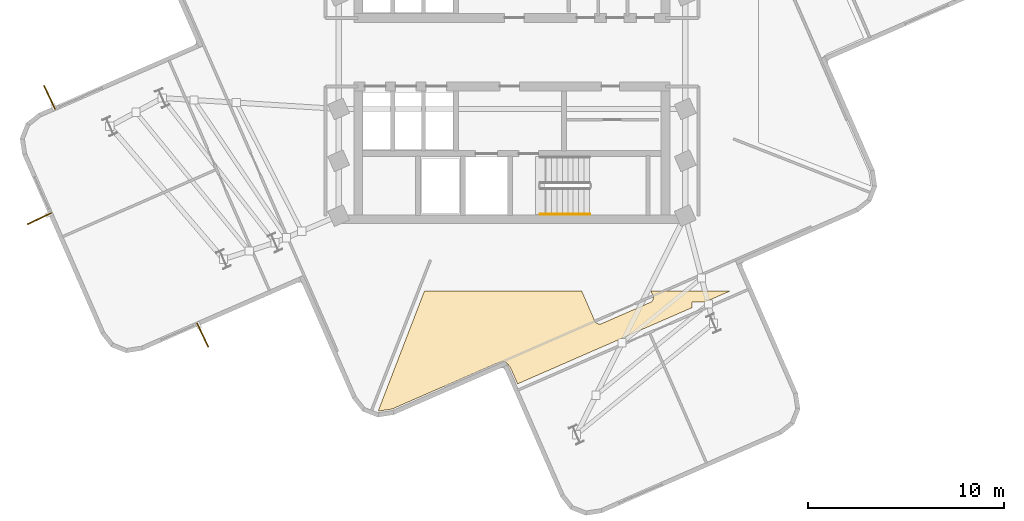
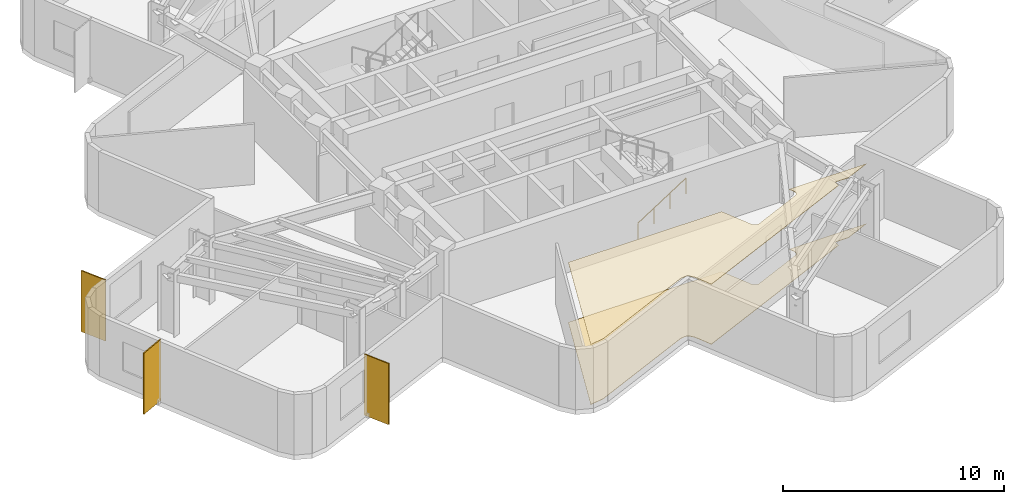
# One storey, part 6 of 8: 3 shading devices, 2 coverings, 1 railing.
"""IFC4 building model written with IfcOpenShell, lengths in metres."""

from ifc_helpers import new_model, si_unit, direction, frame, origin, origin_2d, place, context, subcontext, project, spatial, polyline, rectangle, circle, outline, extrude, material, layer, layer_set, type_object, element, save


model = new_model("IFC4")

# Units and contexts
model_context = context("Model", 3, precision=1e-05, world=origin(), true_north=direction((0.0, 1.0)))
body_context = subcontext(model_context, "Body", "Model", "MODEL_VIEW")
ifc_project = project(units=[si_unit("LENGTHUNIT", "METRE"), si_unit("AREAUNIT", "SQUARE_METRE"), si_unit("VOLUMEUNIT", "CUBIC_METRE"), si_unit("PLANEANGLEUNIT", "RADIAN"), si_unit("MASSUNIT", "GRAM", prefix="KILO")], contexts=[model_context])

# Site, building, storey
site_placement = place(None, origin())
site = spatial("IfcSite", under=ifc_project, at=site_placement, CompositionType="ELEMENT")
building_placement = place(site_placement, origin())
building = spatial("IfcBuilding", under=site, at=building_placement, Name="Solmarez Civic Tower", CompositionType="ELEMENT")
storey_placement = place(building_placement, frame((0.0, 0.0, 181.080078125)))
storey = spatial("IfcBuildingStorey", under=building, at=storey_placement, Name="L48", CompositionType="ELEMENT", Elevation=181.080078125)

# Coverings
ifc_material_1 = material(Name="Perforated Mineral-Fibre Acoustic Ceiling")
ifc_layer_1 = layer(ifc_material_1, 0.02490234375)
ifc_layer_set_1 = layer_set([ifc_layer_1], Name="Perforated Mineral-Fibre Acoustic Ceiling")
covering_type_1 = type_object("IfcCoveringType", Name="COV-CEIL-ACOUSTIC", PredefinedType="CEILING", material=ifc_layer_set_1)
covering_1_placement = place(storey_placement, frame((0.0, 0.0, 3.31494140625)))
element("IfcCovering", 1, at=covering_1_placement, inside=storey, type_object=covering_type_1, Name="L48 Suspended Acoustic Ceiling 3", PredefinedType="CEILING", context=body_context, shape_type="SweptSolid", body=[
    extrude(outline(polyline([(-0.2548828125, -15.89208984375), (-0.2490234375, -15.89697265625), (-0.23388671875, -15.909912109375), (-0.220947265625, -15.925048828125), (-0.216064453125, -15.930908203125), (-0.212890625, -15.93505859375), (-0.10595703125, -16.070068359375), (-0.10205078125, -16.074951171875), (-0.091064453125, -16.090087890625), (-0.0869140625, -16.095947265625), (-0.072998046875, -16.1201171875), (-0.070068359375, -16.1259765625), (-0.06494140625, -16.135986328125), (0.287109375, -16.94189453125), (9.18994140625, -13.052001953125), (9.18994140625, -12.75), (9.882080078125, -12.75), (11.14111328125, -12.199951171875), (7.097900390625, -12.199951171875), (7.197998046875, -12.427978515625), (7.205078125, -12.446044921875), (7.2080078125, -12.455078125), (7.215087890625, -12.48193359375), (7.216064453125, -12.487060546875), (7.218994140625, -12.508056640625), (7.219970703125, -12.530029296875), (7.219970703125, -12.5400390625), (7.218994140625, -12.56201171875), (7.216064453125, -12.5830078125), (7.215087890625, -12.587890625), (7.214111328125, -12.593017578125), (7.2119140625, -12.60205078125), (7.20703125, -12.618896484375), (7.200927734375, -12.635986328125), (7.198974609375, -12.64111328125), (7.19091796875, -12.657958984375), (7.181884765625, -12.675048828125), (7.16796875, -12.695068359375), (7.162109375, -12.702880859375), (7.14697265625, -12.720947265625), (7.12890625, -12.738037109375), (7.1220703125, -12.743896484375), (7.10498046875, -12.758056640625), (7.0859375, -12.76904296875), (7.076904296875, -12.77392578125), (7.05810546875, -12.783935546875), (4.583984375, -13.864990234375), (4.56591796875, -13.8720703125), (4.556884765625, -13.875), (4.530029296875, -13.882080078125), (4.52490234375, -13.883056640625), (4.50390625, -13.885986328125), (4.48193359375, -13.886962890625), (4.471923828125, -13.886962890625), (4.449951171875, -13.885986328125), (4.428955078125, -13.883056640625), (4.424072265625, -13.882080078125), (4.4189453125, -13.881103515625), (4.409912109375, -13.87890625), (4.39306640625, -13.8740234375), (4.3759765625, -13.867919921875), (4.37109375, -13.865966796875), (4.35400390625, -13.85791015625), (4.3369140625, -13.84912109375), (4.321044921875, -13.837890625), (4.30908203125, -13.8291015625), (4.291015625, -13.81396484375), (4.27392578125, -13.7958984375), (4.26806640625, -13.7890625), (4.25390625, -13.77197265625), (4.242919921875, -13.7529296875), (4.238037109375, -13.743896484375), (4.22802734375, -13.72509765625), (3.56201171875, -12.199951171875), (-4.468994140625, -12.199951171875), (-6.83203125, -18.330078125), (-6.825927734375, -18.3330078125), (-6.1259765625, -18.22705078125), (-0.738037109375, -15.8720703125), (-0.7099609375, -15.862060546875), (-0.702880859375, -15.860107421875), (-0.696044921875, -15.85791015625), (-0.672119140625, -15.85302734375), (-0.6630859375, -15.85107421875), (-0.489990234375, -15.824951171875), (-0.48291015625, -15.823974609375), (-0.451904296875, -15.822021484375), (-0.444091796875, -15.822021484375), (-0.4130859375, -15.823974609375), (-0.407958984375, -15.824951171875), (-0.402099609375, -15.825927734375), (-0.385009765625, -15.827880859375), (-0.368896484375, -15.83203125), (-0.362060546875, -15.833984375), (-0.3349609375, -15.843994140625), (-0.321044921875, -15.85009765625), (-0.302001953125, -15.85888671875), (-0.283935546875, -15.8701171875), (-0.26708984375, -15.883056640625), (-0.2548828125, -15.89208984375)])), origin(), (0.0, 0.0, 1.0), 0.02490234375),
])
ifc_material_2 = material(Name="Polished Tropical Stone Terrazzo Flooring", Category="masonry")
ifc_layer_2 = layer(ifc_material_2, 0.02001953125)
ifc_layer_set_2 = layer_set([ifc_layer_2], Name="Polished Tropical Stone Terrazzo Flooring")
covering_type_2 = type_object("IfcCoveringType", Name="COV-FLOOR-TERRAZZO", PredefinedType="FLOORING", material=ifc_layer_set_2)
covering_2_placement = place(storey_placement, origin())
element("IfcCovering", 2, at=covering_2_placement, inside=storey, type_object=covering_type_2, Name="L48 Terrazzo Floor Finish 3", PredefinedType="FLOORING", context=body_context, shape_type="SweptSolid", body=[
    extrude(outline(polyline([(-0.2548828125, -15.89208984375), (-0.2490234375, -15.89697265625), (-0.23388671875, -15.909912109375), (-0.220947265625, -15.925048828125), (-0.216064453125, -15.930908203125), (-0.212890625, -15.93505859375), (-0.10595703125, -16.070068359375), (-0.10205078125, -16.074951171875), (-0.091064453125, -16.090087890625), (-0.0869140625, -16.095947265625), (-0.072998046875, -16.1201171875), (-0.070068359375, -16.1259765625), (-0.06494140625, -16.135986328125), (0.287109375, -16.94189453125), (9.18994140625, -13.052001953125), (9.18994140625, -12.75), (9.882080078125, -12.75), (11.14111328125, -12.199951171875), (7.097900390625, -12.199951171875), (7.197998046875, -12.427978515625), (7.205078125, -12.446044921875), (7.2080078125, -12.455078125), (7.215087890625, -12.48193359375), (7.216064453125, -12.487060546875), (7.218994140625, -12.508056640625), (7.219970703125, -12.530029296875), (7.219970703125, -12.5400390625), (7.218994140625, -12.56201171875), (7.216064453125, -12.5830078125), (7.215087890625, -12.587890625), (7.214111328125, -12.593017578125), (7.2119140625, -12.60205078125), (7.20703125, -12.618896484375), (7.200927734375, -12.635986328125), (7.198974609375, -12.64111328125), (7.19091796875, -12.657958984375), (7.181884765625, -12.675048828125), (7.16796875, -12.695068359375), (7.162109375, -12.702880859375), (7.14697265625, -12.720947265625), (7.12890625, -12.738037109375), (7.1220703125, -12.743896484375), (7.10498046875, -12.758056640625), (7.0859375, -12.76904296875), (7.076904296875, -12.77392578125), (7.05810546875, -12.783935546875), (4.583984375, -13.864990234375), (4.56591796875, -13.8720703125), (4.556884765625, -13.875), (4.530029296875, -13.882080078125), (4.52490234375, -13.883056640625), (4.50390625, -13.885986328125), (4.48193359375, -13.886962890625), (4.471923828125, -13.886962890625), (4.449951171875, -13.885986328125), (4.428955078125, -13.883056640625), (4.424072265625, -13.882080078125), (4.4189453125, -13.881103515625), (4.409912109375, -13.87890625), (4.39306640625, -13.8740234375), (4.3759765625, -13.867919921875), (4.37109375, -13.865966796875), (4.35400390625, -13.85791015625), (4.3369140625, -13.84912109375), (4.321044921875, -13.837890625), (4.30908203125, -13.8291015625), (4.291015625, -13.81396484375), (4.27392578125, -13.7958984375), (4.26806640625, -13.7890625), (4.25390625, -13.77197265625), (4.242919921875, -13.7529296875), (4.238037109375, -13.743896484375), (4.22802734375, -13.72509765625), (3.56201171875, -12.199951171875), (-4.468994140625, -12.199951171875), (-6.83203125, -18.330078125), (-6.825927734375, -18.3330078125), (-6.1259765625, -18.22705078125), (-0.738037109375, -15.8720703125), (-0.7099609375, -15.862060546875), (-0.702880859375, -15.860107421875), (-0.696044921875, -15.85791015625), (-0.672119140625, -15.85302734375), (-0.6630859375, -15.85107421875), (-0.489990234375, -15.824951171875), (-0.48291015625, -15.823974609375), (-0.451904296875, -15.822021484375), (-0.444091796875, -15.822021484375), (-0.4130859375, -15.823974609375), (-0.407958984375, -15.824951171875), (-0.402099609375, -15.825927734375), (-0.385009765625, -15.827880859375), (-0.368896484375, -15.83203125), (-0.362060546875, -15.833984375), (-0.3349609375, -15.843994140625), (-0.321044921875, -15.85009765625), (-0.302001953125, -15.85888671875), (-0.283935546875, -15.8701171875), (-0.26708984375, -15.883056640625), (-0.2548828125, -15.89208984375)])), origin(), (0.0, 0.0, 1.0), 0.02001953125),
])

# Shading devices
ifc_material_3 = material(Name="Bronze Anodised Aluminium EN AW-6063 T6", Category="aluminium")
ifc_layer_3 = layer(ifc_material_3, 0.06005859375)
ifc_layer_set_3 = layer_set([ifc_layer_3], Name="Bronze Anodised Aluminium EN AW-6063 T6")
shading_device_type = type_object("IfcShadingDeviceType", Name="FIN-BRONZE-Z34", PredefinedType="USERDEFINED", material=ifc_layer_set_3)
for number, where, z_axis, x_axis, name in (
    (3, (-15.797119140625, -14.447998046875, -0.0400390625), (0.0, 0.0, 1.0), (0.429392297519, -0.903118073583, 0.0), "L48 Anodised Bronze Solar Fin FIN-L48-01"),
    (4, (-24.1298828125, -8.5, -0.0400390625), (0.0, 0.0, 1.0), (-0.903125567754, -0.429376535069, 0.0), "L48 Anodised Bronze Solar Fin FIN-L48-02"),
    (5, (-23.610107421875, -2.31103515625, -0.0400390625), (0.0, 0.0, 1.0), (-0.429392297519, 0.903118073583, 0.0), "L48 Anodised Bronze Solar Fin FIN-L48-03"),
):
    element("IfcShadingDevice", number, at=place(storey_placement, frame(where, z_axis=z_axis, x_axis=x_axis)), inside=storey, type_object=shading_device_type, Name=name, ObjectType="FIN", PredefinedType="USERDEFINED", context=body_context, shape_type="SweptSolid", body=[
        extrude(rectangle(XDim=1.35009765625, YDim=0.06005859375, at=origin_2d()), origin(), (0.0, 0.0, 1.0), 3.3798828125),
    ])

# Railing
ifc_material_4 = material(Name="Brushed Stainless Steel Tube Handrail", Category="steel")
railing_type = type_object("IfcRailingType", Name="HANDRAIL-STAIR-900", PredefinedType="HANDRAIL", material=ifc_material_4)
railing_placement = place(storey_placement, frame((1.449951171875, -8.27001953125, 0.179931640625)))
element("IfcRailing", 6, at=railing_placement, inside=storey, type_object=railing_type, Name="L48 ST-2 stair handrail 1", PredefinedType="HANDRAIL", context=body_context, shape_type="SweptSolid", body=[
    extrude(circle(Radius=0.02392578125, at=origin_2d()), frame((0.0, 0.0, 0.8759765625), z_axis=(0.841199657755, 0.0, 0.540724639528), x_axis=(0.0, 1.0, 0.0)), (0.0, 0.0, 1.0), 2.995849609375),
    extrude(circle(Radius=0.02099609375, at=origin_2d()), origin(), (0.0, 0.0, 1.0), 0.851806640625),
    extrude(circle(Radius=0.02099609375, at=origin_2d()), frame((0.840087890625, 0.0, 0.5400390625)), (0.0, 0.0, 1.0), 0.851806640625),
    extrude(circle(Radius=0.02099609375, at=origin_2d()), frame((1.679931640625, 0.0, 1.079833984375)), (0.0, 0.0, 1.0), 0.851806640625),
    extrude(circle(Radius=0.02099609375, at=origin_2d()), frame((2.52001953125, 0.0, 1.619873046875)), (0.0, 0.0, 1.0), 0.851806640625),
])

save(model, "model.ifc")
